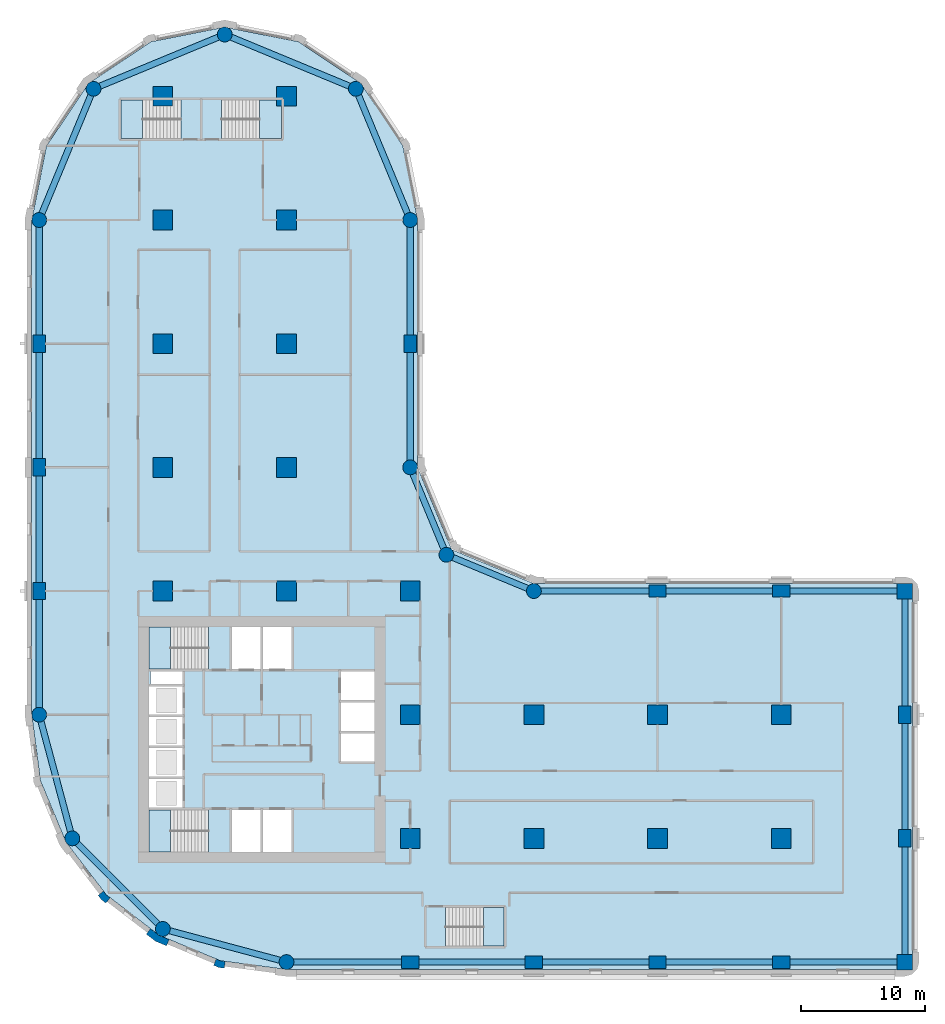
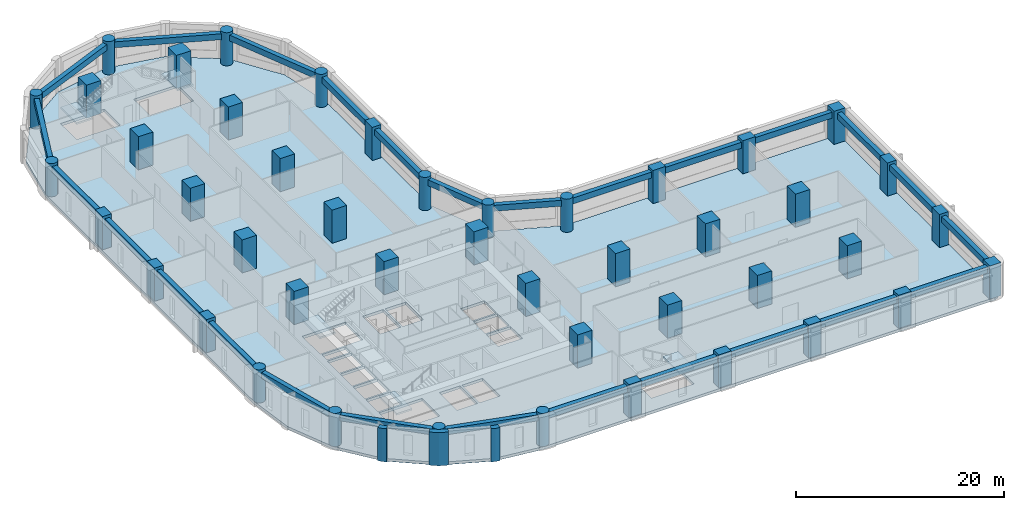
# One storey, part 1 of 10: 45 columns, 26 beams, 6 slabs, 3 walls, 5 elements without a shape of their own.
"""IFC4 building model written with IfcOpenShell, lengths in metres."""

from ifc_helpers import new_model, si_unit, direction, frame, origin, origin_2d, place, context, subcontext, project, spatial, polyline, rectangle, circle, outline, extrude, material, layer, layer_set, material_profile, profile_set, type_object, element, aggregate, save


model = new_model("IFC4")

# Units and contexts
model_context = context("Model", 3, precision=1e-05, world=origin(), true_north=direction((0.0, 1.0)))
body_context = subcontext(model_context, "Body", "Model", "MODEL_VIEW")
ifc_project = project(units=[si_unit("LENGTHUNIT", "METRE"), si_unit("AREAUNIT", "SQUARE_METRE"), si_unit("VOLUMEUNIT", "CUBIC_METRE"), si_unit("PLANEANGLEUNIT", "RADIAN"), si_unit("MASSUNIT", "GRAM", prefix="KILO")], contexts=[model_context])

# Site, building, storey
site_placement = place(None, origin())
site = spatial("IfcSite", under=ifc_project, at=site_placement, CompositionType="ELEMENT")
building_placement = place(site_placement, origin())
building = spatial("IfcBuilding", under=site, at=building_placement, Name="Qaws Garden Tower", CompositionType="ELEMENT")
storey_placement = place(building_placement, frame((0.0, 0.0, 19.800048828125)))
storey = spatial("IfcBuildingStorey", under=building, at=storey_placement, Name="L04", CompositionType="ELEMENT", Elevation=19.800048828125)

# Columns
ifc_material_1 = material(Name="Concrete C80", Category="concrete")
ifc_material_profile_1 = material_profile(ifc_material_1, rectangle(XDim=1.25, YDim=1.25, at=origin_2d()), Name="RC 1250x1250")
ifc_profile_set_1 = profile_set([ifc_material_profile_1], Name="Concrete C80")
column_type_1 = type_object("IfcColumnType", Name="Column RC 1250x1250 C80", PredefinedType="COLUMN", material=ifc_profile_set_1)
for number, where, z_axis, x_axis, name in (
    (1, (70.0, 0.0, 0.0), (0.0, 0.0, 1.0), (1.0, 0.0, 0.0), "Column L04-006"),
    (2, (70.0, 30.0, 0.0), (0.0, 0.0, 1.0), (1.0, 0.0, 0.0), "Column L04-009"),
):
    element("IfcColumn", number, at=place(storey_placement, frame(where, z_axis=z_axis, x_axis=x_axis)), inside=storey, type_object=column_type_1, Name=name, PredefinedType="COLUMN", context=body_context, shape_type="SweptSolid", body=[
        extrude(rectangle(XDim=1.25, YDim=1.25, at=origin_2d()), origin(), (0.0, 0.0, 1.0), 3.89990234375),
    ])
ifc_material_2 = material(Name="Concrete C80", Category="concrete")
ifc_material_profile_2 = material_profile(ifc_material_2, rectangle(XDim=1.39990234375, YDim=1.0, at=origin_2d()), Name="RC 1400x1000")
ifc_profile_set_2 = profile_set([ifc_material_profile_2], Name="Concrete C80")
column_type_2 = type_object("IfcColumnType", Name="Column RC 1400x1000 C80", PredefinedType="COLUMN", material=ifc_profile_set_2)
for number, where, z_axis, x_axis, name in (
    (3, (30.0, 0.0, 0.0), (0.0, 0.0, 1.0), (1.0, 0.0, 0.0), "Column L04-002"),
    (4, (40.0, 0.0, 0.0), (0.0, 0.0, 1.0), (1.0, 0.0, 0.0), "Column L04-003"),
    (5, (50.0, 0.0, 0.0), (0.0, 0.0, 1.0), (1.0, 0.0, 0.0), "Column L04-004"),
    (6, (60.0, 0.0, 0.0), (0.0, 0.0, 1.0), (1.0, 0.0, 0.0), "Column L04-005"),
    (7, (70.0, 10.0, 0.0), (0.0, 0.0, 1.0), (0.0, 1.0, 0.0), "Column L04-007"),
    (8, (70.0, 20.0, 0.0), (0.0, 0.0, 1.0), (0.0, 1.0, 0.0), "Column L04-008"),
    (9, (60.0, 30.0, 0.0), (0.0, 0.0, 1.0), (1.0, 0.0, 0.0), "Column L04-010"),
    (10, (50.0, 30.0, 0.0), (0.0, 0.0, 1.0), (1.0, 0.0, 0.0), "Column L04-011"),
    (11, (30.0, 50.0, 0.0), (0.0, 0.0, 1.0), (0.0, 1.0, 0.0), "Column L04-015"),
    (12, (0.0, 50.0, 0.0), (0.0, 0.0, 1.0), (0.0, 1.0, 0.0), "Column L04-021"),
    (13, (0.0, 40.0, 0.0), (0.0, 0.0, 1.0), (0.0, 1.0, 0.0), "Column L04-022"),
    (14, (0.0, 30.0, 0.0), (0.0, 0.0, 1.0), (0.0, 1.0, 0.0), "Column L04-023"),
):
    element("IfcColumn", number, at=place(storey_placement, frame(where, z_axis=z_axis, x_axis=x_axis)), inside=storey, type_object=column_type_2, Name=name, PredefinedType="COLUMN", context=body_context, shape_type="SweptSolid", body=[
        extrude(rectangle(XDim=1.39990234375, YDim=1.0, at=origin_2d()), origin(), (0.0, 0.0, 1.0), 3.89990234375),
    ])
ifc_material_3 = material(Name="Concrete C80", Category="concrete")
ifc_material_profile_3 = material_profile(ifc_material_3, rectangle(XDim=1.60009765625, YDim=1.60009765625, at=origin_2d()), Name="RC 1600x1600")
ifc_profile_set_3 = profile_set([ifc_material_profile_3], Name="Concrete C80")
column_type_3 = type_object("IfcColumnType", Name="Column RC 1600x1600 C80", PredefinedType="COLUMN", material=ifc_profile_set_3)
for number, where, z_axis, x_axis, name in (
    (15, (10.0, 30.0, 0.0), (0.0, 0.0, 1.0), (1.0, 0.0, 0.0), "Column L04-027"),
    (16, (10.0, 40.0, 0.0), (0.0, 0.0, 1.0), (1.0, 0.0, 0.0), "Column L04-028"),
    (17, (10.0, 50.0, 0.0), (0.0, 0.0, 1.0), (1.0, 0.0, 0.0), "Column L04-029"),
    (18, (10.0, 60.0, 0.0), (0.0, 0.0, 1.0), (1.0, 0.0, 0.0), "Column L04-030"),
    (19, (10.0, 70.0, 0.0), (0.0, 0.0, 1.0), (1.0, 0.0, 0.0), "Column L04-031"),
    (20, (20.0, 30.0, 0.0), (0.0, 0.0, 1.0), (1.0, 0.0, 0.0), "Column L04-032"),
    (21, (20.0, 40.0, 0.0), (0.0, 0.0, 1.0), (1.0, 0.0, 0.0), "Column L04-033"),
    (22, (20.0, 50.0, 0.0), (0.0, 0.0, 1.0), (1.0, 0.0, 0.0), "Column L04-034"),
    (23, (20.0, 60.0, 0.0), (0.0, 0.0, 1.0), (1.0, 0.0, 0.0), "Column L04-035"),
    (24, (20.0, 70.0, 0.0), (0.0, 0.0, 1.0), (1.0, 0.0, 0.0), "Column L04-036"),
    (25, (30.0, 10.0, 0.0), (0.0, 0.0, 1.0), (1.0, 0.0, 0.0), "Column L04-037"),
    (26, (30.0, 20.0, 0.0), (0.0, 0.0, 1.0), (1.0, 0.0, 0.0), "Column L04-038"),
    (27, (30.0, 30.0, 0.0), (0.0, 0.0, 1.0), (1.0, 0.0, 0.0), "Column L04-039"),
    (28, (40.0, 10.0, 0.0), (0.0, 0.0, 1.0), (1.0, 0.0, 0.0), "Column L04-040"),
    (29, (40.0, 20.0, 0.0), (0.0, 0.0, 1.0), (1.0, 0.0, 0.0), "Column L04-041"),
    (30, (50.0, 10.0, 0.0), (0.0, 0.0, 1.0), (1.0, 0.0, 0.0), "Column L04-042"),
    (31, (50.0, 20.0, 0.0), (0.0, 0.0, 1.0), (1.0, 0.0, 0.0), "Column L04-043"),
    (32, (60.0, 10.0, 0.0), (0.0, 0.0, 1.0), (1.0, 0.0, 0.0), "Column L04-044"),
    (33, (60.0, 20.0, 0.0), (0.0, 0.0, 1.0), (1.0, 0.0, 0.0), "Column L04-045"),
):
    element("IfcColumn", number, at=place(storey_placement, frame(where, z_axis=z_axis, x_axis=x_axis)), inside=storey, type_object=column_type_3, Name=name, PredefinedType="COLUMN", context=body_context, shape_type="SweptSolid", body=[
        extrude(rectangle(XDim=1.60009765625, YDim=1.60009765625, at=origin_2d()), origin(), (0.0, 0.0, 1.0), 3.89990234375),
    ])
ifc_material_4 = material(Name="Concrete C80", Category="concrete")
ifc_material_profile_4 = material_profile(ifc_material_4, circle(Radius=0.60009765625, at=origin_2d()), Name="RC D1200")
ifc_profile_set_4 = profile_set([ifc_material_profile_4], Name="Concrete C80")
column_type_4 = type_object("IfcColumnType", Name="Column RC D1200 C80", PredefinedType="COLUMN", material=ifc_profile_set_4)
for number, where, z_axis, x_axis, name in (
    (34, (20.0, 0.0, 0.0), (0.0, 0.0, 1.0), (1.0, 0.0, 0.0), "Column L04-001"),
    (35, (40.0, 30.0, 0.0), (0.0, 0.0, 1.0), (1.0, 0.0, 0.0), "Column L04-012"),
    (36, (32.928955078125, 32.928955078125, 0.0), (0.0, 0.0, 1.0), (1.0, 0.0, 0.0), "Column L04-013"),
    (37, (30.0, 40.0, 0.0), (0.0, 0.0, 1.0), (1.0, 0.0, 0.0), "Column L04-014"),
    (38, (30.0, 60.0, 0.0), (0.0, 0.0, 1.0), (1.0, 0.0, 0.0), "Column L04-016"),
    (39, (25.606689453125, 70.606689453125, 0.0), (0.0, 0.0, 1.0), (1.0, 0.0, 0.0), "Column L04-017"),
    (40, (15.0, 75.0, 0.0), (0.0, 0.0, 1.0), (1.0, 0.0, 0.0), "Column L04-018"),
    (41, (4.393310546875, 70.606689453125, 0.0), (0.0, 0.0, 1.0), (1.0, 0.0, 0.0), "Column L04-019"),
    (42, (0.0, 60.0, 0.0), (0.0, 0.0, 1.0), (1.0, 0.0, 0.0), "Column L04-020"),
    (43, (0.0, 20.0, 0.0), (0.0, 0.0, 1.0), (1.0, 0.0, 0.0), "Column L04-024"),
    (44, (2.679443359375, 10.0, 0.0), (0.0, 0.0, 1.0), (1.0, 0.0, 0.0), "Column L04-025"),
    (45, (10.0, 2.679443359375, 0.0), (0.0, 0.0, 1.0), (1.0, 0.0, 0.0), "Column L04-026"),
):
    element("IfcColumn", number, at=place(storey_placement, frame(where, z_axis=z_axis, x_axis=x_axis)), inside=storey, type_object=column_type_4, Name=name, PredefinedType="COLUMN", context=body_context, shape_type="SweptSolid", body=[
        extrude(circle(Radius=0.60009765625, at=origin_2d()), origin(), (0.0, 0.0, 1.0), 3.89990234375),
    ])

# Beams
ifc_material_5 = material(Name="Concrete C45", Category="concrete")
ifc_material_profile_5 = material_profile(ifc_material_5, rectangle(XDim=0.5, YDim=0.699951171875, at=origin_2d()), Name="RC 500x700")
ifc_profile_set_5 = profile_set([ifc_material_profile_5], Name="Concrete C45")
beam_type = type_object("IfcBeamType", Name="Spandrel beam RC 500x700 C45", PredefinedType="SPANDREL", material=ifc_profile_set_5)
for number, where, z_axis, x_axis, name in (
    (46, (20.0, 0.0, 3.22998046875), (1.0, 0.0, 0.0), (0.0, 1.0, 0.0), "Spandrel beam L04-001"),
    (47, (30.0, 0.0, 3.22998046875), (1.0, 0.0, 0.0), (0.0, 1.0, 0.0), "Spandrel beam L04-002"),
    (48, (40.0, 0.0, 3.22998046875), (1.0, 0.0, 0.0), (0.0, 1.0, 0.0), "Spandrel beam L04-003"),
    (49, (50.0, 0.0, 3.22998046875), (1.0, 0.0, 0.0), (0.0, 1.0, 0.0), "Spandrel beam L04-004"),
    (50, (60.0, 0.0, 3.22998046875), (1.0, 0.0, 0.0), (0.0, 1.0, 0.0), "Spandrel beam L04-005"),
    (51, (70.0, 0.0, 3.22998046875), (0.0, 1.0, 0.0), (-1.0, 0.0, 0.0), "Spandrel beam L04-006"),
    (52, (70.0, 10.0, 3.22998046875), (0.0, 1.0, 0.0), (-1.0, 0.0, 0.0), "Spandrel beam L04-007"),
    (53, (70.0, 20.0, 3.22998046875), (0.0, 1.0, 0.0), (-1.0, 0.0, 0.0), "Spandrel beam L04-008"),
    (54, (70.0, 30.0, 3.22998046875), (-1.0, 0.0, 0.0), (0.0, -1.0, 0.0), "Spandrel beam L04-009"),
    (55, (60.0, 30.0, 3.22998046875), (-1.0, 0.0, 0.0), (0.0, -1.0, 0.0), "Spandrel beam L04-010"),
    (56, (50.0, 30.0, 3.22998046875), (-1.0, 0.0, 0.0), (0.0, -1.0, 0.0), "Spandrel beam L04-011"),
):
    element("IfcBeam", number, at=place(storey_placement, frame(where, z_axis=z_axis, x_axis=x_axis)), inside=storey, type_object=beam_type, Name=name, PredefinedType="SPANDREL", context=body_context, shape_type="SweptSolid", body=[
        extrude(rectangle(XDim=0.5, YDim=0.699951171875, at=origin_2d()), origin(), (0.0, 0.0, 1.0), 10.0),
    ])
for number, where, z_axis, x_axis, name in (
    (57, (40.0, 30.0, 3.22998046875), (-0.923878037141, 0.382687042488, 0.0), (-0.382687042488, -0.923878037141, 0.0), "Spandrel beam L04-012"),
    (58, (32.928955078125, 32.928955078125, 3.22998046875), (-0.382687042488, 0.923878037141, 0.0), (-0.923878037141, -0.382687042488, 0.0), "Spandrel beam L04-013"),
):
    element("IfcBeam", number, at=place(storey_placement, frame(where, z_axis=z_axis, x_axis=x_axis)), inside=storey, type_object=beam_type, Name=name, PredefinedType="SPANDREL", context=body_context, shape_type="SweptSolid", body=[
        extrude(rectangle(XDim=0.5, YDim=0.699951171875, at=origin_2d()), origin(), (0.0, 0.0, 1.0), 7.653564453125),
    ])
for number, where, z_axis, x_axis, name in (
    (59, (30.0, 40.0, 3.22998046875), (0.0, 1.0, 0.0), (-1.0, 0.0, 0.0), "Spandrel beam L04-014"),
    (60, (30.0, 50.0, 3.22998046875), (0.0, 1.0, 0.0), (-1.0, 0.0, 0.0), "Spandrel beam L04-015"),
):
    element("IfcBeam", number, at=place(storey_placement, frame(where, z_axis=z_axis, x_axis=x_axis)), inside=storey, type_object=beam_type, Name=name, PredefinedType="SPANDREL", context=body_context, shape_type="SweptSolid", body=[
        extrude(rectangle(XDim=0.5, YDim=0.699951171875, at=origin_2d()), origin(), (0.0, 0.0, 1.0), 10.0),
    ])
for number, where, z_axis, x_axis, name in (
    (61, (30.0, 60.0, 3.22998046875), (-0.382674207535, 0.923883353507, 0.0), (-0.923883353507, -0.382674207535, 0.0), "Spandrel beam L04-016"),
    (62, (25.606689453125, 70.606689453125, 3.22998046875), (-0.923883353507, 0.382674207535, 0.0), (-0.382674207535, -0.923883353507, 0.0), "Spandrel beam L04-017"),
    (63, (15.0, 75.0, 3.22998046875), (-0.923883353507, -0.382674207535, 0.0), (0.382674207535, -0.923883353507, 0.0), "Spandrel beam L04-018"),
    (64, (4.393310546875, 70.606689453125, 3.22998046875), (-0.382674207535, -0.923883353507, 0.0), (0.923883353507, -0.382674207535, 0.0), "Spandrel beam L04-019"),
):
    element("IfcBeam", number, at=place(storey_placement, frame(where, z_axis=z_axis, x_axis=x_axis)), inside=storey, type_object=beam_type, Name=name, PredefinedType="SPANDREL", context=body_context, shape_type="SweptSolid", body=[
        extrude(rectangle(XDim=0.5, YDim=0.699951171875, at=origin_2d()), origin(), (0.0, 0.0, 1.0), 11.48046875),
    ])
for number, where, z_axis, x_axis, name in (
    (65, (0.0, 60.0, 3.22998046875), (0.0, -1.0, 0.0), (1.0, 0.0, 0.0), "Spandrel beam L04-020"),
    (66, (0.0, 50.0, 3.22998046875), (0.0, -1.0, 0.0), (1.0, 0.0, 0.0), "Spandrel beam L04-021"),
    (67, (0.0, 40.0, 3.22998046875), (0.0, -1.0, 0.0), (1.0, 0.0, 0.0), "Spandrel beam L04-022"),
    (68, (0.0, 30.0, 3.22998046875), (0.0, -1.0, 0.0), (1.0, 0.0, 0.0), "Spandrel beam L04-023"),
):
    element("IfcBeam", number, at=place(storey_placement, frame(where, z_axis=z_axis, x_axis=x_axis)), inside=storey, type_object=beam_type, Name=name, PredefinedType="SPANDREL", context=body_context, shape_type="SweptSolid", body=[
        extrude(rectangle(XDim=0.5, YDim=0.699951171875, at=origin_2d()), origin(), (0.0, 0.0, 1.0), 10.0),
    ])
for number, where, z_axis, x_axis, name in (
    (69, (0.0, 20.0, 3.22998046875), (0.25881466832, -0.965926999034, 0.0), (0.965926999034, 0.25881466832, 0.0), "Spandrel beam L04-024"),
    (70, (2.679443359375, 10.0, 3.22998046875), (0.707106781187, -0.707106781187, 0.0), (0.707106781187, 0.707106781187, 0.0), "Spandrel beam L04-025"),
    (71, (10.0, 2.679443359375, 3.22998046875), (0.965926999034, -0.25881466832, 0.0), (0.25881466832, 0.965926999034, 0.0), "Spandrel beam L04-026"),
):
    element("IfcBeam", number, at=place(storey_placement, frame(where, z_axis=z_axis, x_axis=x_axis)), inside=storey, type_object=beam_type, Name=name, PredefinedType="SPANDREL", context=body_context, shape_type="SweptSolid", body=[
        extrude(rectangle(XDim=0.5, YDim=0.699951171875, at=origin_2d()), origin(), (0.0, 0.0, 1.0), 10.352783203125),
    ])

# Slab
ifc_material_6 = material(Name="Concrete C40", Category="concrete")
ifc_layer_1 = layer(ifc_material_6, 0.320068359375)
ifc_layer_set_1 = layer_set([ifc_layer_1], Name="Concrete C40")
slab_type_1 = type_object("IfcSlabType", Name="Floor slab 320 C40", PredefinedType="FLOOR", material=ifc_layer_set_1)
slab_1_placement = place(storey_placement, frame((0.0, 0.0, -0.320068359375)))
element("IfcSlab", 72, at=slab_1_placement, inside=storey, type_object=slab_type_1, Name="Floor slab L04", PredefinedType="FLOOR", context=body_context, shape_type="SweptSolid", body=[
    extrude(outline(polyline([(0.101806640625, 14.668212890625), (-0.60009765625, 20.0), (-0.60009765625, 30.60009765625), (-0.60009765625, 60.0), (-0.60009765625, 60.0), (0.58740234375, 65.969970703125), (3.968994140625, 71.031005859375), (9.030029296875, 74.41259765625), (15.0, 75.60009765625), (20.969970703125, 74.41259765625), (26.031005859375, 71.031005859375), (29.41259765625, 65.969970703125), (30.60009765625, 60.0), (30.60009765625, 40.0), (33.353271484375, 33.353271484375), (40.0, 30.60009765625), (70.0, 30.60009765625), (70.42431640625, 30.42431640625), (70.60009765625, 30.0), (70.60009765625, 0.0), (70.42431640625, -0.42431640625), (70.0, -0.60009765625), (30.60009765625, -0.60009765625), (20.0, -0.60009765625), (14.668212890625, 0.101806640625), (9.699951171875, 2.159912109375), (5.43359375, 5.43359375), (2.159912109375, 9.699951171875), (0.101806640625, 14.668212890625)]), holes=[polyline([(13.699462890625, 12.300048828125), (8.89990234375, 12.300048828125), (8.89990234375, 8.89990234375), (13.699462890625, 8.89990234375), (13.699462890625, 12.300048828125)]), polyline([(17.89990234375, 12.300048828125), (15.60009765625, 12.300048828125), (15.60009765625, 8.89990234375), (17.89990234375, 8.89990234375), (17.89990234375, 12.300048828125)]), polyline([(11.60009765625, 14.800048828125), (8.89990234375, 14.800048828125), (8.89990234375, 12.5), (11.60009765625, 12.5), (11.60009765625, 14.800048828125)]), polyline([(11.60009765625, 17.300048828125), (8.89990234375, 17.300048828125), (8.89990234375, 15.0), (11.60009765625, 15.0), (11.60009765625, 17.300048828125)]), polyline([(11.60009765625, 19.800048828125), (8.89990234375, 19.800048828125), (8.89990234375, 17.5), (11.60009765625, 17.5), (11.60009765625, 19.800048828125)]), polyline([(11.60009765625, 22.300048828125), (8.89990234375, 22.300048828125), (8.89990234375, 20.0), (11.60009765625, 20.0), (11.60009765625, 22.300048828125)]), polyline([(11.60009765625, 23.5), (9.0, 23.5), (9.0, 22.5), (11.60009765625, 22.5), (11.60009765625, 23.5)]), polyline([(13.699462890625, 27.10009765625), (8.89990234375, 27.10009765625), (8.89990234375, 23.699951171875), (13.699462890625, 23.699951171875), (13.699462890625, 27.10009765625)]), polyline([(11.449462890625, 69.699951171875), (6.60009765625, 69.699951171875), (6.60009765625, 66.60009765625), (11.449462890625, 66.60009765625), (11.449462890625, 69.699951171875)]), polyline([(37.60009765625, 4.39990234375), (32.8505859375, 4.39990234375), (32.8505859375, 1.300048828125), (37.60009765625, 1.300048828125), (37.60009765625, 4.39990234375)]), polyline([(20.39990234375, 12.300048828125), (18.10009765625, 12.300048828125), (18.10009765625, 8.89990234375), (20.39990234375, 8.89990234375), (20.39990234375, 12.300048828125)]), polyline([(27.10009765625, 18.5), (24.39990234375, 18.5), (24.39990234375, 16.199951171875), (27.10009765625, 16.199951171875), (27.10009765625, 18.5)]), polyline([(27.10009765625, 21.0), (24.39990234375, 21.0), (24.39990234375, 18.699951171875), (27.10009765625, 18.699951171875), (27.10009765625, 21.0)]), polyline([(27.10009765625, 23.5), (24.39990234375, 23.5), (24.39990234375, 21.199951171875), (27.10009765625, 21.199951171875), (27.10009765625, 23.5)]), polyline([(17.89990234375, 27.10009765625), (15.60009765625, 27.10009765625), (15.60009765625, 23.699951171875), (17.89990234375, 23.699951171875), (17.89990234375, 27.10009765625)]), polyline([(20.39990234375, 23.699951171875), (20.39990234375, 27.10009765625), (18.10009765625, 27.10009765625), (18.10009765625, 23.699951171875), (20.39990234375, 23.699951171875)]), polyline([(19.60009765625, 66.60009765625), (19.60009765625, 69.699951171875), (14.75048828125, 69.699951171875), (14.75048828125, 66.60009765625), (19.60009765625, 66.60009765625)])]), origin(), (0.0, 0.0, 1.0), 0.320068359375),
])

# Stair, slab
ifc_material_7 = material(Name="Concrete C40", Category="concrete")
stair_type_1 = type_object("IfcStairType", Name="Exit stair 1500", PredefinedType="HALF_TURN_STAIR", material=ifc_material_7)
placement_1 = place(storey_placement, origin())
stair_1 = element("IfcStair", 73, at=placement_1, inside=storey, type_object=stair_type_1, Name="Stair 1", PredefinedType="HALF_TURN_STAIR")
ifc_material_8 = material(Name="Concrete C40", Category="concrete")
ifc_layer_2 = layer(ifc_material_8, 0.199951171875)
ifc_layer_set_2 = layer_set([ifc_layer_2], Name="Concrete C40")
slab_type_2 = type_object("IfcSlabType", Name="Stair landing 200", PredefinedType="LANDING", material=ifc_layer_set_2)
placement_2 = place(storey_placement, frame((0.0, 0.0, 1.75)))
slab_2 = element("IfcSlab", 74, at=placement_2, type_object=slab_type_2, Name="ST1 landing 1", PredefinedType="LANDING", context=body_context, shape_type="SweptSolid", body=[
    extrude(outline(polyline([(8.89990234375, 8.89990234375), (10.6201171875, 8.89990234375), (10.6201171875, 12.300048828125), (8.89990234375, 12.300048828125), (8.89990234375, 8.89990234375)])), origin(), (0.0, 0.0, 1.0), 0.199951171875),
])
aggregate(stair_1, [slab_2])

stair_2 = element("IfcStair", 75, at=placement_1, inside=storey, type_object=stair_type_1, Name="Stair 4", PredefinedType="HALF_TURN_STAIR")
slab_3 = element("IfcSlab", 76, at=placement_2, type_object=slab_type_2, Name="ST4 landing 1", PredefinedType="LANDING", context=body_context, shape_type="SweptSolid", body=[
    extrude(outline(polyline([(8.89990234375, 23.699951171875), (10.6201171875, 23.699951171875), (10.6201171875, 27.10009765625), (8.89990234375, 27.10009765625), (8.89990234375, 23.699951171875)])), origin(), (0.0, 0.0, 1.0), 0.199951171875),
])
aggregate(stair_2, [slab_3])

ifc_material_9 = material(Name="Concrete C40", Category="concrete")
stair_type_2 = type_object("IfcStairType", Name="Exit stair 1350", PredefinedType="HALF_TURN_STAIR", material=ifc_material_9)
stair_3 = element("IfcStair", 77, at=placement_1, inside=storey, type_object=stair_type_2, Name="Stair 5", PredefinedType="HALF_TURN_STAIR")
slab_4 = element("IfcSlab", 78, at=placement_2, type_object=slab_type_2, Name="ST5 landing 1", PredefinedType="LANDING", context=body_context, shape_type="SweptSolid", body=[
    extrude(outline(polyline([(35.929931640625, 1.300048828125), (37.60009765625, 1.300048828125), (37.60009765625, 4.39990234375), (35.929931640625, 4.39990234375), (35.929931640625, 1.300048828125)])), origin(), (0.0, 0.0, 1.0), 0.199951171875),
])
aggregate(stair_3, [slab_4])

stair_4 = element("IfcStair", 79, at=placement_1, inside=storey, type_object=stair_type_2, Name="Stair 6", PredefinedType="HALF_TURN_STAIR")
slab_5 = element("IfcSlab", 80, at=placement_2, type_object=slab_type_2, Name="ST6 landing 1", PredefinedType="LANDING", context=body_context, shape_type="SweptSolid", body=[
    extrude(outline(polyline([(6.60009765625, 66.60009765625), (8.3701171875, 66.60009765625), (8.3701171875, 69.699951171875), (6.60009765625, 69.699951171875), (6.60009765625, 66.60009765625)])), origin(), (0.0, 0.0, 1.0), 0.199951171875),
])
aggregate(stair_4, [slab_5])

stair_5 = element("IfcStair", 81, at=placement_1, inside=storey, type_object=stair_type_2, Name="Stair 7", PredefinedType="HALF_TURN_STAIR")
slab_6 = element("IfcSlab", 82, at=placement_2, type_object=slab_type_2, Name="ST7 landing 1", PredefinedType="LANDING", context=body_context, shape_type="SweptSolid", body=[
    extrude(outline(polyline([(17.830078125, 66.60009765625), (19.60009765625, 66.60009765625), (19.60009765625, 69.699951171875), (17.830078125, 69.699951171875), (17.830078125, 66.60009765625)])), origin(), (0.0, 0.0, 1.0), 0.199951171875),
])
aggregate(stair_5, [slab_6])

# Walls
ifc_material_10 = material(Name="Clay facing brick masonry", Category="masonry")
ifc_layer_3 = layer(ifc_material_10, 0.550048828125)
ifc_layer_set_3 = layer_set([ifc_layer_3], Name="Clay facing brick masonry")
wall_type_1 = type_object("IfcWallType", Name="Brick kink pier 550 x 600", PredefinedType="SOLIDWALL", material=ifc_layer_set_3)
element("IfcWall", 83, at=placement_1, inside=storey, type_object=wall_type_1, Name="E-L04-pier-30", PredefinedType="SOLIDWALL", context=body_context, shape_type="SweptSolid", body=[
    extrude(outline(polyline([(4.8818359375, 5.487060546875), (4.762939453125, 5.395751953125), (5.03759765625, 5.03759765625), (5.395751953125, 4.762939453125), (5.487060546875, 4.8818359375), (5.730712890625, 5.19921875), (5.429931640625, 5.429931640625), (5.19921875, 5.730712890625), (4.8818359375, 5.487060546875)])), origin(), (0.0, 0.0, 1.0), 3.89990234375),
])
element("IfcWall", 84, at=placement_1, inside=storey, type_object=wall_type_1, Name="E-L04-pier-32", PredefinedType="SOLIDWALL", context=body_context, shape_type="SweptSolid", body=[
    extrude(outline(polyline([(14.163818359375, -0.127685546875), (14.1064453125, -0.26611328125), (14.5234375, -0.43896484375), (14.970947265625, -0.497802734375), (14.990478515625, -0.34912109375), (15.042724609375, 0.04736328125), (14.6669921875, 0.096923828125), (14.31689453125, 0.241943359375), (14.163818359375, -0.127685546875)])), origin(), (0.0, 0.0, 1.0), 3.89990234375),
])
ifc_material_11 = material(Name="Clay facing brick masonry", Category="masonry")
ifc_layer_4 = layer(ifc_material_11, 0.550048828125)
ifc_layer_set_4 = layer_set([ifc_layer_4], Name="Clay facing brick masonry")
wall_type_2 = type_object("IfcWallType", Name="Brick pier 550 x 1600", PredefinedType="SOLIDWALL", material=ifc_layer_set_4)
element("IfcWall", 85, at=placement_1, inside=storey, type_object=wall_type_2, Name="E-L04-pier-31", PredefinedType="SOLIDWALL", context=body_context, shape_type="SweptSolid", body=[
    extrude(outline(polyline([(8.756591796875, 2.373046875), (8.665283203125, 2.254150390625), (9.419921875, 1.675048828125), (10.299072265625, 1.310791015625), (10.3564453125, 1.449462890625), (10.509521484375, 1.819091796875), (9.697509765625, 2.1552734375), (9.0, 2.6904296875), (8.756591796875, 2.373046875)])), origin(), (0.0, 0.0, 1.0), 3.89990234375),
])

save(model, "model.ifc")
